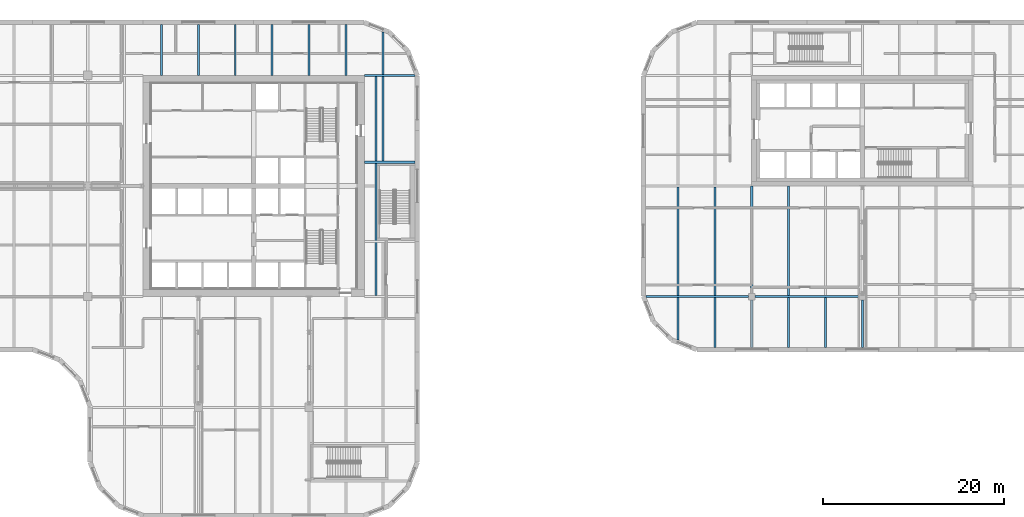
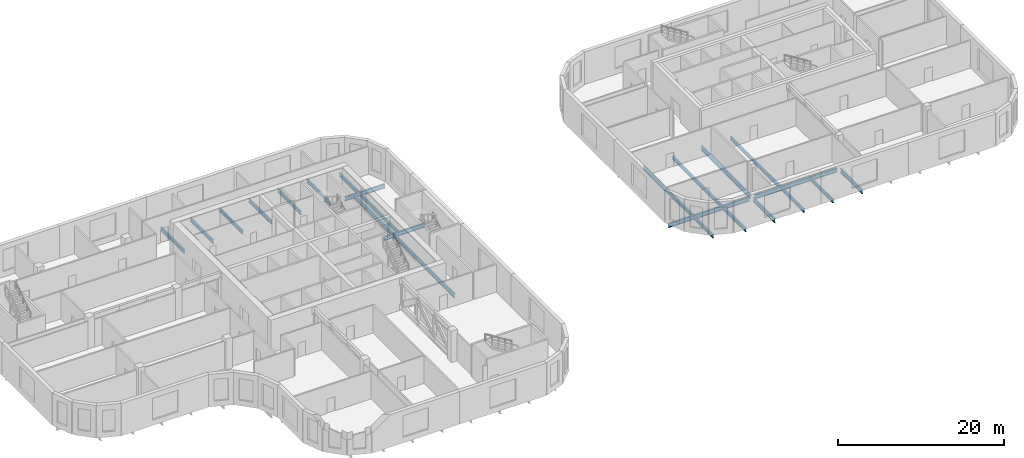
# One storey, part 4 of 21: 23 beams.
"""IFC4 building model written with IfcOpenShell, lengths in metres."""

from ifc_helpers import new_model, si_unit, direction, frame, origin, origin_2d, place, context, subcontext, project, spatial, i_section, extrude, material, material_profile, profile_set, type_object, element, save


model = new_model("IFC4")

# Units and contexts
model_context = context("Model", 3, precision=1e-05, world=origin(), true_north=direction((0.0, 1.0)))
body_context = subcontext(model_context, "Body", "Model", "MODEL_VIEW")
ifc_project = project(units=[si_unit("LENGTHUNIT", "METRE"), si_unit("AREAUNIT", "SQUARE_METRE"), si_unit("VOLUMEUNIT", "CUBIC_METRE"), si_unit("PLANEANGLEUNIT", "RADIAN"), si_unit("MASSUNIT", "GRAM", prefix="KILO")], contexts=[model_context])

# Site, building, storey
site_placement = place(None, origin())
site = spatial("IfcSite", under=ifc_project, at=site_placement, CompositionType="ELEMENT")
building_placement = place(site_placement, origin())
building = spatial("IfcBuilding", under=site, at=building_placement, Name="Tessera Gate Towers", CompositionType="ELEMENT")
storey_placement = place(building_placement, frame((0.0, 0.0, 63.800048828125)))
storey = spatial("IfcBuildingStorey", under=building, at=storey_placement, Name="L15", CompositionType="ELEMENT", Elevation=63.800048828125)

# Beams
ifc_material_1 = material(Name="Steel 350W", Category="steel")
ifc_material_profile_1 = material_profile(ifc_material_1, i_section(OverallWidth=0.22900390625, OverallDepth=0.612060546875, WebThickness=0.011962890625, FlangeThickness=0.01953125, at=origin_2d()), Name="W610x125")
ifc_profile_set_1 = profile_set([ifc_material_profile_1], Name="Steel 350W")
beam_type_1 = type_object("IfcBeamType", Name="FLOOR GIRDER W610x125", PredefinedType="BEAM", material=ifc_profile_set_1)
beam_1_placement = place(storey_placement, frame((54.90087890625, 48.800048828125, -0.60595703125), z_axis=(1.0, 0.0, 0.0), x_axis=(0.0, 1.0, 0.0)))
element("IfcBeam", 1, at=beam_1_placement, inside=storey, type_object=beam_type_1, Name="T1-GD-L15-2123", PredefinedType="BEAM", context=body_context, shape_type="SweptSolid", body=[
    extrude(i_section(OverallWidth=0.22900390625, OverallDepth=0.612060546875, WebThickness=0.011962890625, FlangeThickness=0.01953125, at=origin_2d()), origin(), (0.0, 0.0, 1.0), 5.564208984375),
])
beam_2_placement = place(storey_placement, frame((54.89892578125, 39.219970703125, -0.60595703125), z_axis=(1.0, 0.0, 0.0), x_axis=(0.0, 1.0, 0.0)))
element("IfcBeam", 2, at=beam_2_placement, inside=storey, type_object=beam_type_1, Name="T1-GD-L15-2141", PredefinedType="BEAM", context=body_context, shape_type="SweptSolid", body=[
    extrude(i_section(OverallWidth=0.22900390625, OverallDepth=0.612060546875, WebThickness=0.011962890625, FlangeThickness=0.01953125, at=origin_2d()), origin(), (0.0, 0.0, 1.0), 5.60205078125),
])
beam_3_placement = place(storey_placement, frame((56.179931640625, 24.514404296875, -0.60595703125), z_axis=(0.0, 1.0, 0.0), x_axis=(-1.0, 0.0, 0.0)))
element("IfcBeam", 3, at=beam_3_placement, inside=storey, type_object=beam_type_1, Name="T1-GD-L15-2142", PredefinedType="BEAM", context=body_context, shape_type="SweptSolid", body=[
    extrude(i_section(OverallWidth=0.22900390625, OverallDepth=0.612060546875, WebThickness=0.011962890625, FlangeThickness=0.01953125, at=origin_2d()), origin(), (0.0, 0.0, 1.0), 24.171142578125),
])
beam_4_placement = place(storey_placement, frame((85.934814453125, 24.39990234375, -0.60595703125), z_axis=(1.0, 0.0, 0.0), x_axis=(0.0, 1.0, 0.0)))
element("IfcBeam", 4, at=beam_4_placement, inside=storey, type_object=beam_type_1, Name="T2-GD-L15-2185", PredefinedType="BEAM", context=body_context, shape_type="SweptSolid", body=[
    extrude(i_section(OverallWidth=0.22900390625, OverallDepth=0.612060546875, WebThickness=0.011962890625, FlangeThickness=0.01953125, at=origin_2d()), origin(), (0.0, 0.0, 1.0), 11.315185546875),
])
beam_5_placement = place(storey_placement, frame((97.949951171875, 24.39990234375, -0.60595703125), z_axis=(1.0, 0.0, 0.0), x_axis=(0.0, 1.0, 0.0)))
element("IfcBeam", 5, at=beam_5_placement, inside=storey, type_object=beam_type_1, Name="T2-GD-L15-2186", PredefinedType="BEAM", context=body_context, shape_type="SweptSolid", body=[
    extrude(i_section(OverallWidth=0.22900390625, OverallDepth=0.612060546875, WebThickness=0.011962890625, FlangeThickness=0.01953125, at=origin_2d()), origin(), (0.0, 0.0, 1.0), 11.5),
])
beam_6_placement = place(storey_placement, frame((97.60009765625, 18.799072265625, -0.60595703125), z_axis=(0.0, 1.0, 0.0), x_axis=(-1.0, 0.0, 0.0)))
element("IfcBeam", 6, at=beam_6_placement, inside=storey, type_object=beam_type_1, Name="T2-GD-L15-2193", PredefinedType="BEAM", context=body_context, shape_type="SweptSolid", body=[
    extrude(i_section(OverallWidth=0.22900390625, OverallDepth=0.612060546875, WebThickness=0.011962890625, FlangeThickness=0.01953125, at=origin_2d()), origin(), (0.0, 0.0, 1.0), 5.2509765625),
])
beam_7_placement = place(storey_placement, frame((97.60009765625, 24.75, -0.60595703125), z_axis=(0.0, 1.0, 0.0), x_axis=(-1.0, 0.0, 0.0)))
element("IfcBeam", 7, at=beam_7_placement, inside=storey, type_object=beam_type_1, Name="T2-GD-L15-2194", PredefinedType="BEAM", context=body_context, shape_type="SweptSolid", body=[
    extrude(i_section(OverallWidth=0.22900390625, OverallDepth=0.612060546875, WebThickness=0.011962890625, FlangeThickness=0.01953125, at=origin_2d()), origin(), (0.0, 0.0, 1.0), 11.85009765625),
])
beam_8_placement = place(storey_placement, frame((109.800048828125, 18.799072265625, -0.60595703125), z_axis=(0.0, 1.0, 0.0), x_axis=(-1.0, 0.0, 0.0)))
element("IfcBeam", 8, at=beam_8_placement, inside=storey, type_object=beam_type_1, Name="T2-GD-L15-2195", PredefinedType="BEAM", context=body_context, shape_type="SweptSolid", body=[
    extrude(i_section(OverallWidth=0.22900390625, OverallDepth=0.612060546875, WebThickness=0.011962890625, FlangeThickness=0.01953125, at=origin_2d()), origin(), (0.0, 0.0, 1.0), 5.2509765625),
])
ifc_material_2 = material(Name="Steel 350W", Category="steel")
ifc_material_profile_2 = material_profile(ifc_material_2, i_section(OverallWidth=0.208984375, OverallDepth=0.528076171875, WebThickness=0.009521484375, FlangeThickness=0.01318359375, at=origin_2d()), Name="W530x82")
ifc_profile_set_2 = profile_set([ifc_material_profile_2], Name="Steel 350W")
beam_type_2 = type_object("IfcBeamType", Name="FLOOR SECONDARY W530x82", PredefinedType="BEAM", material=ifc_profile_set_2)
for number, where, z_axis, x_axis, name in (
    (9, (32.533203125, 48.800048828125, -0.56396484375), (0.0, 1.0, 0.0), (-1.0, 0.0, 0.0), "T1-BM-L15-2166"),
    (10, (36.60009765625, 48.800048828125, -0.56396484375), (0.0, 1.0, 0.0), (-1.0, 0.0, 0.0), "T1-BM-L15-2167"),
    (11, (40.666748046875, 48.800048828125, -0.56396484375), (0.0, 1.0, 0.0), (-1.0, 0.0, 0.0), "T1-BM-L15-2170"),
    (12, (44.7333984375, 48.800048828125, -0.56396484375), (0.0, 1.0, 0.0), (-1.0, 0.0, 0.0), "T1-BM-L15-2173"),
    (13, (48.800048828125, 48.800048828125, -0.56396484375), (0.0, 1.0, 0.0), (-1.0, 0.0, 0.0), "T1-BM-L15-2174"),
    (14, (52.86669921875, 48.800048828125, -0.56396484375), (0.0, 1.0, 0.0), (-1.0, 0.0, 0.0), "T1-BM-L15-2178"),
):
    element("IfcBeam", number, at=place(storey_placement, frame(where, z_axis=z_axis, x_axis=x_axis)), inside=storey, type_object=beam_type_2, Name=name, PredefinedType="BEAM", context=body_context, shape_type="SweptSolid", body=[
        extrude(i_section(OverallWidth=0.208984375, OverallDepth=0.528076171875, WebThickness=0.009521484375, FlangeThickness=0.01318359375, at=origin_2d()), origin(), (0.0, 0.0, 1.0), 5.599853515625),
    ])
beam_9_placement = place(storey_placement, frame((56.933349609375, 39.33447265625, -0.56396484375), z_axis=(0.0, 1.0, 0.0), x_axis=(-1.0, 0.0, 0.0)))
element("IfcBeam", 15, at=beam_9_placement, inside=storey, type_object=beam_type_2, Name="T1-BM-L15-2183", PredefinedType="BEAM", context=body_context, shape_type="SweptSolid", body=[
    extrude(i_section(OverallWidth=0.208984375, OverallDepth=0.528076171875, WebThickness=0.009521484375, FlangeThickness=0.01318359375, at=origin_2d()), origin(), (0.0, 0.0, 1.0), 9.35107421875),
])
for number, where, z_axis, x_axis, name in (
    (16, (56.933349609375, 48.91455078125, -0.56396484375), (0.0, 1.0, 0.0), (-1.0, 0.0, 0.0), "T1-BM-L15-2184"),
    (17, (89.466796875, 19.620361328125, -0.56396484375), (0.0, 1.0, 0.0), (-1.0, 0.0, 0.0), "T2-BM-L15-2201"),
):
    element("IfcBeam", number, at=place(storey_placement, frame(where, z_axis=z_axis, x_axis=x_axis)), inside=storey, type_object=beam_type_2, Name=name, PredefinedType="BEAM", context=body_context, shape_type="SweptSolid", body=[
        extrude(i_section(OverallWidth=0.208984375, OverallDepth=0.528076171875, WebThickness=0.009521484375, FlangeThickness=0.01318359375, at=origin_2d()), origin(), (0.0, 0.0, 1.0), 4.6650390625),
    ])
beam_10_placement = place(storey_placement, frame((89.466796875, 24.514404296875, -0.56396484375), z_axis=(0.0, 1.0, 0.0), x_axis=(-1.0, 0.0, 0.0)))
element("IfcBeam", 18, at=beam_10_placement, inside=storey, type_object=beam_type_2, Name="T2-BM-L15-2202", PredefinedType="BEAM", context=body_context, shape_type="SweptSolid", body=[
    extrude(i_section(OverallWidth=0.208984375, OverallDepth=0.528076171875, WebThickness=0.009521484375, FlangeThickness=0.01318359375, at=origin_2d()), origin(), (0.0, 0.0, 1.0), 11.97119140625),
])
beam_11_placement = place(storey_placement, frame((93.533203125, 18.800048828125, -0.56396484375), z_axis=(0.0, 1.0, 0.0), x_axis=(-1.0, 0.0, 0.0)))
element("IfcBeam", 19, at=beam_11_placement, inside=storey, type_object=beam_type_2, Name="T2-BM-L15-2205", PredefinedType="BEAM", context=body_context, shape_type="SweptSolid", body=[
    extrude(i_section(OverallWidth=0.208984375, OverallDepth=0.528076171875, WebThickness=0.009521484375, FlangeThickness=0.01318359375, at=origin_2d()), origin(), (0.0, 0.0, 1.0), 5.4853515625),
])
beam_12_placement = place(storey_placement, frame((93.533203125, 24.514404296875, -0.56396484375), z_axis=(0.0, 1.0, 0.0), x_axis=(-1.0, 0.0, 0.0)))
element("IfcBeam", 20, at=beam_12_placement, inside=storey, type_object=beam_type_2, Name="T2-BM-L15-2206", PredefinedType="BEAM", context=body_context, shape_type="SweptSolid", body=[
    extrude(i_section(OverallWidth=0.208984375, OverallDepth=0.528076171875, WebThickness=0.009521484375, FlangeThickness=0.01318359375, at=origin_2d()), origin(), (0.0, 0.0, 1.0), 11.97119140625),
])
beam_13_placement = place(storey_placement, frame((101.666748046875, 18.800048828125, -0.56396484375), z_axis=(0.0, 1.0, 0.0), x_axis=(-1.0, 0.0, 0.0)))
element("IfcBeam", 21, at=beam_13_placement, inside=storey, type_object=beam_type_2, Name="T2-BM-L15-2210", PredefinedType="BEAM", context=body_context, shape_type="SweptSolid", body=[
    extrude(i_section(OverallWidth=0.208984375, OverallDepth=0.528076171875, WebThickness=0.009521484375, FlangeThickness=0.01318359375, at=origin_2d()), origin(), (0.0, 0.0, 1.0), 5.4853515625),
])
beam_14_placement = place(storey_placement, frame((101.666748046875, 24.514404296875, -0.56396484375), z_axis=(0.0, 1.0, 0.0), x_axis=(-1.0, 0.0, 0.0)))
element("IfcBeam", 22, at=beam_14_placement, inside=storey, type_object=beam_type_2, Name="T2-BM-L15-2211", PredefinedType="BEAM", context=body_context, shape_type="SweptSolid", body=[
    extrude(i_section(OverallWidth=0.208984375, OverallDepth=0.528076171875, WebThickness=0.009521484375, FlangeThickness=0.01318359375, at=origin_2d()), origin(), (0.0, 0.0, 1.0), 12.085693359375),
])
beam_15_placement = place(storey_placement, frame((105.7333984375, 18.800048828125, -0.56396484375), z_axis=(0.0, 1.0, 0.0), x_axis=(-1.0, 0.0, 0.0)))
element("IfcBeam", 23, at=beam_15_placement, inside=storey, type_object=beam_type_2, Name="T2-BM-L15-2212", PredefinedType="BEAM", context=body_context, shape_type="SweptSolid", body=[
    extrude(i_section(OverallWidth=0.208984375, OverallDepth=0.528076171875, WebThickness=0.009521484375, FlangeThickness=0.01318359375, at=origin_2d()), origin(), (0.0, 0.0, 1.0), 5.4853515625),
])

save(model, "model.ifc")
